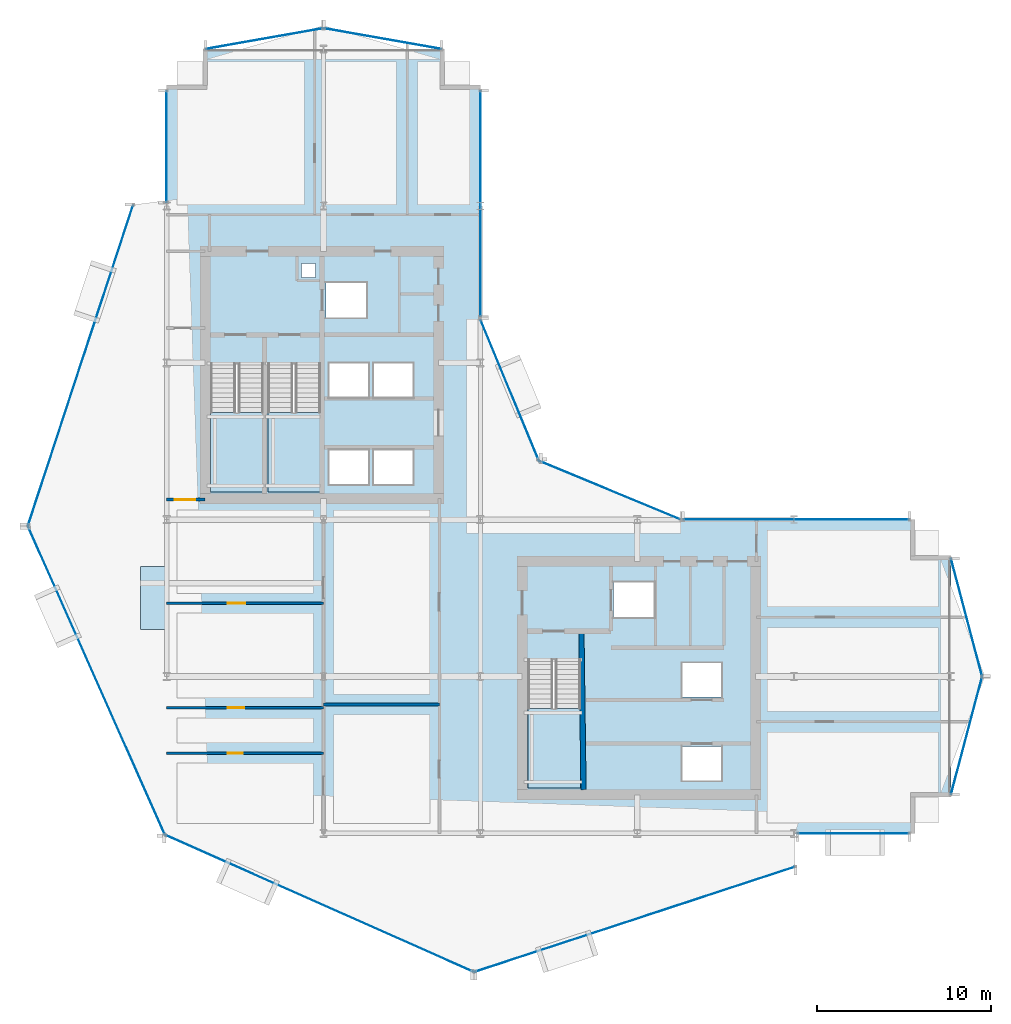
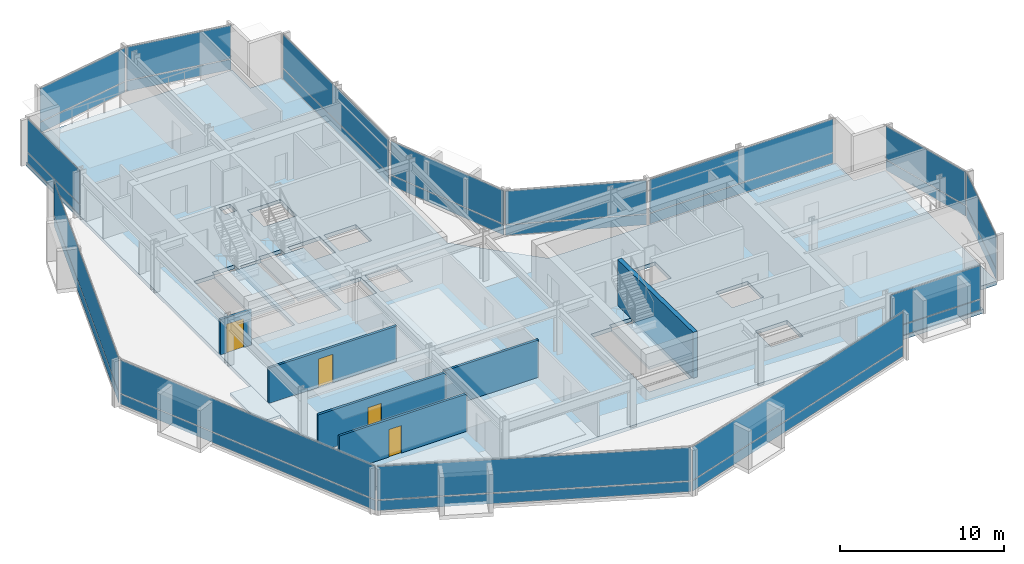
# One storey, part 21 of 28: 28 plates, 6 walls, 5 slabs, 4 doors, 4 openings, 17 elements without a shape of their own.
"""IFC4 building model written with IfcOpenShell, lengths in metres."""

from ifc_helpers import new_model, si_unit, direction, frame, frame_2d, origin, origin_2d, place, context, subcontext, project, spatial, polyline, rectangle, outline, extrude, material, layer, layer_set, type_object, element, fill, aggregate, save


model = new_model("IFC4")

# Units and contexts
model_context = context("Model", 3, precision=1e-05, world=origin(), true_north=direction((0.0, 1.0)))
body_context = subcontext(model_context, "Body", "Model", "MODEL_VIEW")
ifc_project = project(units=[si_unit("LENGTHUNIT", "METRE"), si_unit("AREAUNIT", "SQUARE_METRE"), si_unit("VOLUMEUNIT", "CUBIC_METRE"), si_unit("PLANEANGLEUNIT", "RADIAN"), si_unit("MASSUNIT", "GRAM", prefix="KILO")], contexts=[model_context])

# Site, building, storey
site_placement = place(None, origin())
site = spatial("IfcSite", under=ifc_project, at=site_placement, CompositionType="ELEMENT")
building_placement = place(site_placement, origin())
building = spatial("IfcBuilding", under=site, at=building_placement, Name="Solvaryn Broadcast Tower", CompositionType="ELEMENT")
storey_placement = place(building_placement, frame((0.0, 0.0, 110.0)))
storey = spatial("IfcBuildingStorey", under=building, at=storey_placement, Name="L26", CompositionType="ELEMENT", Elevation=110.0)

# Curtain wall, plates
ifc_material_1 = material(Name="Aluminium and Terracotta Unitised Curtain Wall", Category="masonry")
ifc_layer_1 = layer(ifc_material_1, 0.199951171875)
ifc_layer_set_1 = layer_set([ifc_layer_1], Name="CW-SYS2-LOWMID")
curtain_wall_type = type_object("IfcCurtainWallType", Name="CW-SYS2-LOWMID", PredefinedType="NOTDEFINED", material=ifc_layer_set_1)
curtain_wall_1_placement = place(storey_placement, origin())
curtain_wall_1 = element("IfcCurtainWall", 1, at=curtain_wall_1_placement, inside=storey, type_object=curtain_wall_type, Name="L26 Curtain Wall DR1", PredefinedType="NOTDEFINED")
ifc_material_2 = material(Name="Kiln-Fired Architectural Terracotta Spandrel", Category="masonry")
ifc_layer_2 = layer(ifc_material_2, 0.048095703125)
ifc_layer_set_2 = layer_set([ifc_layer_2], Name="CW-PNL-TERRACOTTA")
plate_type = type_object("IfcPlateType", Name="CW-PNL-TERRACOTTA", PredefinedType="CURTAIN_PANEL", material=ifc_layer_set_2)
plate_1_placement = place(storey_placement, frame((4.056396484375, 35.8515625, 0.06005859375), z_axis=(0.0, 0.0, 1.0), x_axis=(-0.311646057547, -0.950198260794, 0.0)))
plate_1 = element("IfcPlate", 2, at=plate_1_placement, type_object=plate_type, Name="CWS2 panel 1.1", PredefinedType="CURTAIN_PANEL", context=body_context, shape_type="SweptSolid", body=[
    extrude(rectangle(XDim=19.277099609375, YDim=0.028076171875, at=origin_2d()), origin(), (0.0, 0.0, 1.0), 0.760009765625),
])
plate_2_placement = place(storey_placement, frame((4.056396484375, 35.8515625, 0.880126953125), z_axis=(0.0, 0.0, 1.0), x_axis=(-0.311646057547, -0.950198260794, 0.0)))
plate_2 = element("IfcPlate", 3, at=plate_2_placement, type_object=plate_type, Name="CWS2 panel 1.2", PredefinedType="CURTAIN_PANEL", context=body_context, shape_type="SweptSolid", body=[
    extrude(rectangle(XDim=19.277099609375, YDim=0.028076171875, at=origin_2d()), origin(), (0.0, 0.0, 1.0), 2.47998046875),
])
aggregate(curtain_wall_1, [plate_1, plate_2])

curtain_wall_2_placement = place(storey_placement, origin())
curtain_wall_2 = element("IfcCurtainWall", 4, at=curtain_wall_2_placement, inside=storey, type_object=curtain_wall_type, Name="L26 Curtain Wall DR2", PredefinedType="NOTDEFINED")
plate_3_placement = place(storey_placement, frame((4.970947265625, 17.77197265625, 0.06005859375), z_axis=(0.0, 0.0, 1.0), x_axis=(0.405918429309, -0.913909311008, 0.0)))
plate_3 = element("IfcPlate", 5, at=plate_3_placement, type_object=plate_type, Name="CWS2 panel 1.1", PredefinedType="CURTAIN_PANEL", context=body_context, shape_type="SweptSolid", body=[
    extrude(rectangle(XDim=19.278076171875, YDim=0.028076171875, at=origin_2d()), origin(), (0.0, 0.0, 1.0), 0.760009765625),
])
plate_4_placement = place(storey_placement, frame((4.970947265625, 17.77197265625, 0.880126953125), z_axis=(0.0, 0.0, 1.0), x_axis=(0.405918429309, -0.913909311008, 0.0)))
plate_4 = element("IfcPlate", 6, at=plate_4_placement, type_object=plate_type, Name="CWS2 panel 1.2", PredefinedType="CURTAIN_PANEL", context=body_context, shape_type="SweptSolid", body=[
    extrude(rectangle(XDim=19.278076171875, YDim=0.028076171875, at=origin_2d()), origin(), (0.0, 0.0, 1.0), 2.47998046875),
])
aggregate(curtain_wall_2, [plate_3, plate_4])

curtain_wall_3_placement = place(storey_placement, origin())
curtain_wall_3 = element("IfcCurtainWall", 7, at=curtain_wall_3_placement, inside=storey, type_object=curtain_wall_type, Name="L26 Curtain Wall DR3", PredefinedType="NOTDEFINED")
plate_5_placement = place(storey_placement, frame((17.77197265625, 4.970947265625, 0.06005859375), z_axis=(0.0, 0.0, 1.0), x_axis=(0.913909311008, -0.405918429309, 0.0)))
plate_5 = element("IfcPlate", 8, at=plate_5_placement, type_object=plate_type, Name="CWS2 panel 1.1", PredefinedType="CURTAIN_PANEL", context=body_context, shape_type="SweptSolid", body=[
    extrude(rectangle(XDim=19.278076171875, YDim=0.028076171875, at=origin_2d()), origin(), (0.0, 0.0, 1.0), 0.760009765625),
])
plate_6_placement = place(storey_placement, frame((17.77197265625, 4.970947265625, 0.880126953125), z_axis=(0.0, 0.0, 1.0), x_axis=(0.913909311008, -0.405918429309, 0.0)))
plate_6 = element("IfcPlate", 9, at=plate_6_placement, type_object=plate_type, Name="CWS2 panel 1.2", PredefinedType="CURTAIN_PANEL", context=body_context, shape_type="SweptSolid", body=[
    extrude(rectangle(XDim=19.278076171875, YDim=0.028076171875, at=origin_2d()), origin(), (0.0, 0.0, 1.0), 2.47998046875),
])
aggregate(curtain_wall_3, [plate_5, plate_6])

curtain_wall_4_placement = place(storey_placement, origin())
curtain_wall_4 = element("IfcCurtainWall", 10, at=curtain_wall_4_placement, inside=storey, type_object=curtain_wall_type, Name="L26 Curtain Wall DR4", PredefinedType="NOTDEFINED")
plate_7_placement = place(storey_placement, frame((35.8515625, 4.056396484375, 0.06005859375), z_axis=(0.0, 0.0, 1.0), x_axis=(0.950198260794, 0.311646057547, 0.0)))
plate_7 = element("IfcPlate", 11, at=plate_7_placement, type_object=plate_type, Name="CWS2 panel 1.1", PredefinedType="CURTAIN_PANEL", context=body_context, shape_type="SweptSolid", body=[
    extrude(rectangle(XDim=19.277099609375, YDim=0.028076171875, at=origin_2d()), origin(), (0.0, 0.0, 1.0), 0.760009765625),
])
plate_8_placement = place(storey_placement, frame((35.8515625, 4.056396484375, 0.880126953125), z_axis=(0.0, 0.0, 1.0), x_axis=(0.950198260794, 0.311646057547, 0.0)))
plate_8 = element("IfcPlate", 12, at=plate_8_placement, type_object=plate_type, Name="CWS2 panel 1.2", PredefinedType="CURTAIN_PANEL", context=body_context, shape_type="SweptSolid", body=[
    extrude(rectangle(XDim=19.277099609375, YDim=0.028076171875, at=origin_2d()), origin(), (0.0, 0.0, 1.0), 2.47998046875),
])
aggregate(curtain_wall_4, [plate_7, plate_8])

curtain_wall_5_placement = place(storey_placement, origin())
curtain_wall_5 = element("IfcCurtainWall", 13, at=curtain_wall_5_placement, inside=storey, type_object=curtain_wall_type, Name="L26 Curtain Wall W2", PredefinedType="NOTDEFINED")
plate_9_placement = place(storey_placement, frame((9.0, 48.408447265625, 0.06005859375), z_axis=(0.0, 0.0, 1.0), x_axis=(0.0, 1.0, 0.0)))
plate_9 = element("IfcPlate", 14, at=plate_9_placement, type_object=plate_type, Name="CWS2 panel 1.1", PredefinedType="CURTAIN_PANEL", context=body_context, shape_type="SweptSolid", body=[
    extrude(rectangle(XDim=6.363037109375, YDim=0.028076171875, at=origin_2d()), origin(), (0.0, 0.0, 1.0), 0.760009765625),
])
plate_10_placement = place(storey_placement, frame((9.0, 48.408447265625, 0.880126953125), z_axis=(0.0, 0.0, 1.0), x_axis=(0.0, 1.0, 0.0)))
plate_10 = element("IfcPlate", 15, at=plate_10_placement, type_object=plate_type, Name="CWS2 panel 1.2", PredefinedType="CURTAIN_PANEL", context=body_context, shape_type="SweptSolid", body=[
    extrude(rectangle(XDim=6.363037109375, YDim=0.028076171875, at=origin_2d()), origin(), (0.0, 0.0, 1.0), 2.47998046875),
])
aggregate(curtain_wall_5, [plate_9, plate_10])

curtain_wall_6_placement = place(storey_placement, origin())
curtain_wall_6 = element("IfcCurtainWall", 16, at=curtain_wall_6_placement, inside=storey, type_object=curtain_wall_type, Name="L26 Curtain Wall IV", PredefinedType="NOTDEFINED")
plate_11_placement = place(storey_placement, frame((27.0, 45.125, 0.06005859375), z_axis=(0.0, 0.0, 1.0), x_axis=(0.0, -1.0, 0.0)))
plate_11 = element("IfcPlate", 17, at=plate_11_placement, type_object=plate_type, Name="CWS2 panel 1.1", PredefinedType="CURTAIN_PANEL", context=body_context, shape_type="SweptSolid", body=[
    extrude(rectangle(XDim=12.929931640625, YDim=0.028076171875, at=origin_2d()), origin(), (0.0, 0.0, 1.0), 0.760009765625),
])
plate_12_placement = place(storey_placement, frame((27.0, 45.125, 0.880126953125), z_axis=(0.0, 0.0, 1.0), x_axis=(0.0, -1.0, 0.0)))
plate_12 = element("IfcPlate", 18, at=plate_12_placement, type_object=plate_type, Name="CWS2 panel 1.2", PredefinedType="CURTAIN_PANEL", context=body_context, shape_type="SweptSolid", body=[
    extrude(rectangle(XDim=12.929931640625, YDim=0.028076171875, at=origin_2d()), origin(), (0.0, 0.0, 1.0), 2.47998046875),
])
aggregate(curtain_wall_6, [plate_11, plate_12])

curtain_wall_7_placement = place(storey_placement, origin())
curtain_wall_7 = element("IfcCurtainWall", 19, at=curtain_wall_7_placement, inside=storey, type_object=curtain_wall_type, Name="L26 Curtain Wall CN1", PredefinedType="NOTDEFINED")
plate_13_placement = place(storey_placement, frame((34.43408203125, 28.68408203125, 0.06005859375), z_axis=(0.0, 0.0, 1.0), x_axis=(-0.923894983957, 0.382646127145, 0.0)))
plate_13 = element("IfcPlate", 20, at=plate_13_placement, type_object=plate_type, Name="CWS2 panel 1.1", PredefinedType="CURTAIN_PANEL", context=body_context, shape_type="SweptSolid", body=[
    extrude(rectangle(XDim=8.681884765625, YDim=0.028076171875, at=origin_2d()), origin(), (0.0, 0.0, 1.0), 0.760009765625),
])
plate_14_placement = place(storey_placement, frame((34.43408203125, 28.68408203125, 0.880126953125), z_axis=(0.0, 0.0, 1.0), x_axis=(-0.923894983957, 0.382646127145, 0.0)))
plate_14 = element("IfcPlate", 21, at=plate_14_placement, type_object=plate_type, Name="CWS2 panel 1.2", PredefinedType="CURTAIN_PANEL", context=body_context, shape_type="SweptSolid", body=[
    extrude(rectangle(XDim=8.681884765625, YDim=0.028076171875, at=origin_2d()), origin(), (0.0, 0.0, 1.0), 2.47998046875),
])
aggregate(curtain_wall_7, [plate_13, plate_14])

curtain_wall_8_placement = place(storey_placement, origin())
curtain_wall_8 = element("IfcCurtainWall", 22, at=curtain_wall_8_placement, inside=storey, type_object=curtain_wall_type, Name="L26 Curtain Wall CN2", PredefinedType="NOTDEFINED")
plate_15_placement = place(storey_placement, frame((28.68408203125, 34.43408203125, 0.06005859375), z_axis=(0.0, 0.0, 1.0), x_axis=(-0.382646127145, 0.923894983957, 0.0)))
plate_15 = element("IfcPlate", 23, at=plate_15_placement, type_object=plate_type, Name="CWS2 panel 1.1", PredefinedType="CURTAIN_PANEL", context=body_context, shape_type="SweptSolid", body=[
    extrude(rectangle(XDim=8.681884765625, YDim=0.028076171875, at=origin_2d()), origin(), (0.0, 0.0, 1.0), 0.760009765625),
])
plate_16_placement = place(storey_placement, frame((28.68408203125, 34.43408203125, 0.880126953125), z_axis=(0.0, 0.0, 1.0), x_axis=(-0.382646127145, 0.923894983957, 0.0)))
plate_16 = element("IfcPlate", 24, at=plate_16_placement, type_object=plate_type, Name="CWS2 panel 1.2", PredefinedType="CURTAIN_PANEL", context=body_context, shape_type="SweptSolid", body=[
    extrude(rectangle(XDim=8.681884765625, YDim=0.028076171875, at=origin_2d()), origin(), (0.0, 0.0, 1.0), 2.47998046875),
])
aggregate(curtain_wall_8, [plate_15, plate_16])

curtain_wall_9_placement = place(storey_placement, origin())
curtain_wall_9 = element("IfcCurtainWall", 25, at=curtain_wall_9_placement, inside=storey, type_object=curtain_wall_type, Name="L26 Curtain Wall S2", PredefinedType="NOTDEFINED")
plate_17_placement = place(storey_placement, frame((48.408447265625, 9.0, 0.06005859375), z_axis=(0.0, 0.0, 1.0), x_axis=(1.0, 0.0, 0.0)))
plate_17 = element("IfcPlate", 26, at=plate_17_placement, type_object=plate_type, Name="CWS2 panel 1.1", PredefinedType="CURTAIN_PANEL", context=body_context, shape_type="SweptSolid", body=[
    extrude(rectangle(XDim=6.363037109375, YDim=0.028076171875, at=origin_2d()), origin(), (0.0, 0.0, 1.0), 0.760009765625),
])
plate_18_placement = place(storey_placement, frame((48.408447265625, 9.0, 0.880126953125), z_axis=(0.0, 0.0, 1.0), x_axis=(1.0, 0.0, 0.0)))
plate_18 = element("IfcPlate", 27, at=plate_18_placement, type_object=plate_type, Name="CWS2 panel 1.2", PredefinedType="CURTAIN_PANEL", context=body_context, shape_type="SweptSolid", body=[
    extrude(rectangle(XDim=6.363037109375, YDim=0.028076171875, at=origin_2d()), origin(), (0.0, 0.0, 1.0), 2.47998046875),
])
aggregate(curtain_wall_9, [plate_17, plate_18])

curtain_wall_10_placement = place(storey_placement, origin())
curtain_wall_10 = element("IfcCurtainWall", 28, at=curtain_wall_10_placement, inside=storey, type_object=curtain_wall_type, Name="L26 Curtain Wall NT1", PredefinedType="NOTDEFINED")
plate_19_placement = place(storey_placement, frame((21.39990234375, 54.60009765625, 0.06005859375), z_axis=(0.0, 0.0, 1.0), x_axis=(-0.984783558819, 0.173785333901, 0.0)))
plate_19 = element("IfcPlate", 29, at=plate_19_placement, type_object=plate_type, Name="CWS2 panel 1.1", PredefinedType="CURTAIN_PANEL", context=body_context, shape_type="SweptSolid", body=[
    extrude(rectangle(XDim=6.78515625, YDim=0.028076171875, at=origin_2d()), origin(), (0.0, 0.0, 1.0), 0.760009765625),
])
plate_20_placement = place(storey_placement, frame((21.39990234375, 54.60009765625, 0.880126953125), z_axis=(0.0, 0.0, 1.0), x_axis=(-0.984783558819, 0.173785333901, 0.0)))
plate_20 = element("IfcPlate", 30, at=plate_20_placement, type_object=plate_type, Name="CWS2 panel 1.2", PredefinedType="CURTAIN_PANEL", context=body_context, shape_type="SweptSolid", body=[
    extrude(rectangle(XDim=6.78515625, YDim=0.028076171875, at=origin_2d()), origin(), (0.0, 0.0, 1.0), 2.47998046875),
])
aggregate(curtain_wall_10, [plate_19, plate_20])

curtain_wall_11_placement = place(storey_placement, origin())
curtain_wall_11 = element("IfcCurtainWall", 31, at=curtain_wall_11_placement, inside=storey, type_object=curtain_wall_type, Name="L26 Curtain Wall NT2", PredefinedType="NOTDEFINED")
plate_21_placement = place(storey_placement, frame((14.60009765625, 54.60009765625, 0.06005859375), z_axis=(0.0, 0.0, 1.0), x_axis=(-0.984783558819, -0.173785333901, 0.0)))
plate_21 = element("IfcPlate", 32, at=plate_21_placement, type_object=plate_type, Name="CWS2 panel 1.1", PredefinedType="CURTAIN_PANEL", context=body_context, shape_type="SweptSolid", body=[
    extrude(rectangle(XDim=6.78515625, YDim=0.028076171875, at=origin_2d()), origin(), (0.0, 0.0, 1.0), 0.760009765625),
])
plate_22_placement = place(storey_placement, frame((14.60009765625, 54.60009765625, 0.880126953125), z_axis=(0.0, 0.0, 1.0), x_axis=(-0.984783558819, -0.173785333901, 0.0)))
plate_22 = element("IfcPlate", 33, at=plate_22_placement, type_object=plate_type, Name="CWS2 panel 1.2", PredefinedType="CURTAIN_PANEL", context=body_context, shape_type="SweptSolid", body=[
    extrude(rectangle(XDim=6.78515625, YDim=0.028076171875, at=origin_2d()), origin(), (0.0, 0.0, 1.0), 2.47998046875),
])
aggregate(curtain_wall_11, [plate_21, plate_22])

curtain_wall_12_placement = place(storey_placement, origin())
curtain_wall_12 = element("IfcCurtainWall", 34, at=curtain_wall_12_placement, inside=storey, type_object=curtain_wall_type, Name="L26 Curtain Wall ET1", PredefinedType="NOTDEFINED")
plate_23_placement = place(storey_placement, frame((54.89990234375, 21.39990234375, 0.06005859375), z_axis=(0.0, 0.0, 1.0), x_axis=(0.25589256031, -0.966705227863, 0.0)))
plate_23 = element("IfcPlate", 35, at=plate_23_placement, type_object=plate_type, Name="CWS2 panel 1.1", PredefinedType="CURTAIN_PANEL", context=body_context, shape_type="SweptSolid", body=[
    extrude(rectangle(XDim=6.914306640625, YDim=0.028076171875, at=origin_2d()), origin(), (0.0, 0.0, 1.0), 0.760009765625),
])
plate_24_placement = place(storey_placement, frame((54.89990234375, 21.39990234375, 0.880126953125), z_axis=(0.0, 0.0, 1.0), x_axis=(0.25589256031, -0.966705227863, 0.0)))
plate_24 = element("IfcPlate", 36, at=plate_24_placement, type_object=plate_type, Name="CWS2 panel 1.2", PredefinedType="CURTAIN_PANEL", context=body_context, shape_type="SweptSolid", body=[
    extrude(rectangle(XDim=6.914306640625, YDim=0.028076171875, at=origin_2d()), origin(), (0.0, 0.0, 1.0), 2.47998046875),
])
aggregate(curtain_wall_12, [plate_23, plate_24])

curtain_wall_13_placement = place(storey_placement, origin())
curtain_wall_13 = element("IfcCurtainWall", 37, at=curtain_wall_13_placement, inside=storey, type_object=curtain_wall_type, Name="L26 Curtain Wall ET2", PredefinedType="NOTDEFINED")
plate_25_placement = place(storey_placement, frame((54.89990234375, 14.60009765625, 0.06005859375), z_axis=(0.0, 0.0, 1.0), x_axis=(-0.25589256031, -0.966705227863, 0.0)))
plate_25 = element("IfcPlate", 38, at=plate_25_placement, type_object=plate_type, Name="CWS2 panel 1.1", PredefinedType="CURTAIN_PANEL", context=body_context, shape_type="SweptSolid", body=[
    extrude(rectangle(XDim=6.914306640625, YDim=0.028076171875, at=origin_2d()), origin(), (0.0, 0.0, 1.0), 0.760009765625),
])
plate_26_placement = place(storey_placement, frame((54.89990234375, 14.60009765625, 0.880126953125), z_axis=(0.0, 0.0, 1.0), x_axis=(-0.25589256031, -0.966705227863, 0.0)))
plate_26 = element("IfcPlate", 39, at=plate_26_placement, type_object=plate_type, Name="CWS2 panel 1.2", PredefinedType="CURTAIN_PANEL", context=body_context, shape_type="SweptSolid", body=[
    extrude(rectangle(XDim=6.914306640625, YDim=0.028076171875, at=origin_2d()), origin(), (0.0, 0.0, 1.0), 2.47998046875),
])
aggregate(curtain_wall_13, [plate_25, plate_26])

curtain_wall_14_placement = place(storey_placement, origin())
curtain_wall_14 = element("IfcCurtainWall", 40, at=curtain_wall_14_placement, inside=storey, type_object=curtain_wall_type, Name="L26 Curtain Wall IH", PredefinedType="NOTDEFINED")
plate_27_placement = place(storey_placement, frame((45.125, 27.0, 0.06005859375), z_axis=(0.0, 0.0, 1.0), x_axis=(1.0, 0.0, 0.0)))
plate_27 = element("IfcPlate", 41, at=plate_27_placement, type_object=plate_type, Name="CWS2 panel 1.1", PredefinedType="CURTAIN_PANEL", context=body_context, shape_type="SweptSolid", body=[
    extrude(rectangle(XDim=12.929931640625, YDim=0.028076171875, at=origin_2d()), origin(), (0.0, 0.0, 1.0), 0.760009765625),
])
plate_28_placement = place(storey_placement, frame((45.125, 27.0, 0.880126953125), z_axis=(0.0, 0.0, 1.0), x_axis=(1.0, 0.0, 0.0)))
plate_28 = element("IfcPlate", 42, at=plate_28_placement, type_object=plate_type, Name="CWS2 panel 1.2", PredefinedType="CURTAIN_PANEL", context=body_context, shape_type="SweptSolid", body=[
    extrude(rectangle(XDim=12.929931640625, YDim=0.028076171875, at=origin_2d()), origin(), (0.0, 0.0, 1.0), 2.47998046875),
])
aggregate(curtain_wall_14, [plate_27, plate_28])

# Slab
ifc_material_3 = material(Name="Concrete f'c 60 MPa", Category="concrete")
ifc_layer_3 = layer(ifc_material_3, 0.2099609375)
ifc_layer_set_3 = layer_set([ifc_layer_3], Name="SL-BAYBOX-210")
slab_type_1 = type_object("IfcSlabType", Name="SL-BAYBOX-210", PredefinedType="FLOOR", material=ifc_layer_set_3)
slab_1_placement = place(storey_placement, frame((0.0, 0.0, -0.2099609375)))
element("IfcSlab", 43, at=slab_1_placement, inside=storey, type_object=slab_type_1, Name="L26 Projecting Bay-Box Slab 1", PredefinedType="FLOOR", context=body_context, shape_type="SweptSolid", body=[
    extrude(outline(polyline([(7.5, 20.699951171875), (9.0, 20.699951171875), (9.0, 24.300048828125), (7.5, 24.300048828125), (7.5, 20.699951171875)])), origin(), (0.0, 0.0, 1.0), 0.2099609375),
])

# Stair, slab
ifc_material_4 = material(Name="Concrete f'c 60 MPa", Category="concrete")
stair_type = type_object("IfcStairType", Name="ST-CORE", PredefinedType="HALF_TURN_STAIR", material=ifc_material_4)
stair_1_placement = place(storey_placement, origin())
stair_1 = element("IfcStair", 44, at=stair_1_placement, inside=storey, type_object=stair_type, Name="L26 ST1", PredefinedType="HALF_TURN_STAIR")
ifc_material_5 = material(Name="Concrete f'c 60 MPa", Category="concrete")
ifc_layer_4 = layer(ifc_material_5, 0.199951171875)
ifc_layer_set_4 = layer_set([ifc_layer_4], Name="SL-LANDING-200")
slab_type_2 = type_object("IfcSlabType", Name="SL-LANDING-200", PredefinedType="LANDING", material=ifc_layer_set_4)
slab_2_placement = place(storey_placement, frame((0.0, 0.0, 1.64990234375)))
slab_2 = element("IfcSlab", 45, at=slab_2_placement, type_object=slab_type_2, Name="ST1 landing 1", PredefinedType="LANDING", context=body_context, shape_type="SweptSolid", body=[
    extrude(outline(polyline([(11.52001953125, 33.159912109375), (11.52001953125, 28.60009765625), (14.550048828125, 28.60009765625), (14.550048828125, 33.159912109375), (11.52001953125, 33.159912109375)])), origin(), (0.0, 0.0, 1.0), 0.2001953125),
])
aggregate(stair_1, [slab_2])

stair_2_placement = place(storey_placement, origin())
stair_2 = element("IfcStair", 46, at=stair_2_placement, inside=storey, type_object=stair_type, Name="L26 ST2", PredefinedType="HALF_TURN_STAIR")
slab_3_placement = place(storey_placement, frame((0.0, 0.0, 1.64990234375)))
slab_3 = element("IfcSlab", 47, at=slab_3_placement, type_object=slab_type_2, Name="ST2 landing 1", PredefinedType="LANDING", context=body_context, shape_type="SweptSolid", body=[
    extrude(outline(polyline([(14.800048828125, 33.159912109375), (14.800048828125, 28.60009765625), (17.830078125, 28.60009765625), (17.830078125, 33.159912109375), (14.800048828125, 33.159912109375)])), origin(), (0.0, 0.0, 1.0), 0.2001953125),
])
aggregate(stair_2, [slab_3])

stair_3_placement = place(storey_placement, origin())
stair_3 = element("IfcStair", 48, at=stair_3_placement, inside=storey, type_object=stair_type, Name="L26 ST3", PredefinedType="HALF_TURN_STAIR")
slab_4_placement = place(storey_placement, frame((0.0, 0.0, 1.64990234375)))
slab_4 = element("IfcSlab", 49, at=slab_4_placement, type_object=slab_type_2, Name="ST3 landing 1", PredefinedType="LANDING", context=body_context, shape_type="SweptSolid", body=[
    extrude(outline(polyline([(29.719970703125, 16.159912109375), (29.719970703125, 11.60009765625), (32.75, 11.60009765625), (32.75, 16.159912109375), (29.719970703125, 16.159912109375)])), origin(), (0.0, 0.0, 1.0), 0.2001953125),
])
aggregate(stair_3, [slab_4])

# Slab
ifc_material_6 = material(Name="Concrete f'c 60 MPa", Category="concrete")
ifc_layer_5 = layer(ifc_material_6, 0.280029296875)
ifc_layer_set_5 = layer_set([ifc_layer_5], Name="SL-TWR-280")
slab_type_3 = type_object("IfcSlabType", Name="SL-TWR-280", PredefinedType="FLOOR", material=ifc_layer_set_5)
slab_5_placement = place(storey_placement, frame((0.0, 0.0, -0.280029296875)))
element("IfcSlab", 50, at=slab_5_placement, inside=storey, type_object=slab_type_3, Name="L26 Structural Floor Slab", PredefinedType="FLOOR", context=body_context, shape_type="SweptSolid", body=[
    extrude(outline(polyline([(11.199951171875, 9.0), (51.800048828125, 9.0), (51.800048828125, 11.199951171875), (54.0, 11.199951171875), (54.0, 24.800048828125), (51.800048828125, 24.800048828125), (51.800048828125, 27.0), (31.5, 27.0), (27.0, 31.5), (27.0, 51.800048828125), (24.800048828125, 51.800048828125), (24.800048828125, 54.0), (11.199951171875, 54.0), (11.199951171875, 51.800048828125), (9.0, 51.800048828125), (9.0, 11.199951171875), (11.199951171875, 11.199951171875), (11.199951171875, 9.0)]), holes=[polyline([(11.52001953125, 28.60009765625), (14.550048828125, 28.60009765625), (14.550048828125, 35.9599609375), (12.97998046875, 35.9599609375), (12.97998046875, 35.679931640625), (11.52001953125, 35.679931640625), (11.52001953125, 28.60009765625)]), polyline([(14.800048828125, 28.60009765625), (17.830078125, 28.60009765625), (17.830078125, 35.9599609375), (16.260009765625, 35.9599609375), (16.260009765625, 35.679931640625), (14.800048828125, 35.679931640625), (14.800048828125, 28.60009765625)]), polyline([(29.719970703125, 11.60009765625), (32.75, 11.60009765625), (32.75, 18.9599609375), (31.179931640625, 18.9599609375), (31.179931640625, 18.679931640625), (29.719970703125, 18.679931640625), (29.719970703125, 11.60009765625)]), polyline([(18.14990234375, 38.60009765625), (20.449951171875, 38.60009765625), (20.449951171875, 40.60009765625), (18.14990234375, 40.60009765625), (18.14990234375, 38.60009765625)]), polyline([(18.324951171875, 29.02490234375), (20.574951171875, 29.02490234375), (20.574951171875, 30.97509765625), (18.324951171875, 30.97509765625), (18.324951171875, 29.02490234375)]), polyline([(20.875, 29.02490234375), (23.125, 29.02490234375), (23.125, 30.97509765625), (20.875, 30.97509765625), (20.875, 29.02490234375)]), polyline([(18.324951171875, 34.02490234375), (20.574951171875, 34.02490234375), (20.574951171875, 35.97509765625), (18.324951171875, 35.97509765625), (18.324951171875, 34.02490234375)]), polyline([(20.875, 34.02490234375), (23.125, 34.02490234375), (23.125, 35.97509765625), (20.875, 35.97509765625), (20.875, 34.02490234375)]), polyline([(34.64990234375, 21.39990234375), (36.949951171875, 21.39990234375), (36.949951171875, 23.39990234375), (34.64990234375, 23.39990234375), (34.64990234375, 21.39990234375)]), polyline([(38.574951171875, 12.02490234375), (40.824951171875, 12.02490234375), (40.824951171875, 13.97509765625), (38.574951171875, 13.97509765625), (38.574951171875, 12.02490234375)]), polyline([(38.574951171875, 16.824951171875), (40.824951171875, 16.824951171875), (40.824951171875, 18.77490234375), (38.574951171875, 18.77490234375), (38.574951171875, 16.824951171875)]), polyline([(16.75, 40.89990234375), (17.550048828125, 40.89990234375), (17.550048828125, 41.699951171875), (16.75, 41.699951171875), (16.75, 40.89990234375)])]), origin(), (0.0, 0.0, 1.0), 0.280029296875),
])

# Wall, opening, door
ifc_material_7 = material(Name="Metal-Stud Gypsum Office Partition")
ifc_layer_6 = layer(ifc_material_7, 0.159912109375)
ifc_layer_set_6 = layer_set([ifc_layer_6], Name="IW-PART-160")
wall_type_1 = type_object("IfcWallType", Name="IW-PART-160", PredefinedType="PARTITIONING", material=ifc_layer_set_6)
wall_1_placement = place(storey_placement, frame((9.0, 28.14990234375, 0.0), z_axis=(0.0, 0.0, 1.0), x_axis=(1.0, 0.0, 0.0)))
wall_1 = element("IfcWall", 51, at=wall_1_placement, inside=storey, type_object=wall_type_1, Name="L26 Interior Partition IW-L26-WM-S", PredefinedType="PARTITIONING", context=body_context, shape_type="SweptSolid", body=[
    extrude(rectangle(XDim=2.199951171875, YDim=0.159912109375, at=frame_2d((1.10009765625, 0.0))), origin(), (0.0, 0.0, 1.0), 2.634033203125),
])
opening_1_placement = place(wall_1_placement, frame((0.449951171875, 0.0, 0.0)))
opening_1 = element("IfcOpeningElement", 52, at=opening_1_placement, cuts=wall_1, Name="Opening ID04", PredefinedType="OPENING", context=body_context, shape_type="SweptSolid", body=[
    extrude(rectangle(XDim=1.199951171875, YDim=2.14990234375, at=frame_2d((0.60009765625, 1.074951171875))), frame((0.0, 0.090087890625, 0.0), z_axis=(0.0, -1.0, 0.0), x_axis=(1.0, 0.0, 0.0)), (0.0, 0.0, 1.0), 0.179931640625),
])
ifc_material_8 = material(Name="Flush Acoustic Steel and Timber Door Assembly", Category="steel")
door_type_1 = type_object("IfcDoorType", Name="ID-04-1200X2150", OperationType="NOTDEFINED", PredefinedType="DOOR", material=ifc_material_8)
door_1_placement = place(opening_1_placement, origin())
door_1 = element("IfcDoor", 53, at=door_1_placement, inside=storey, type_object=door_type_1, Name="L26 Door DR-L26-WM0", OperationType="SINGLE_SWING_LEFT", OverallHeight=2.14990234375, OverallWidth=1.199951171875, PredefinedType="DOOR", context=body_context, shape_type="SweptSolid", body=[
    extrude(rectangle(XDim=1.199951171875, YDim=2.14990234375, at=frame_2d((0.60009765625, 1.074951171875))), frame((0.0, 0.02490234375, 0.0), z_axis=(0.0, -1.0, 0.0), x_axis=(1.0, 0.0, 0.0)), (0.0, 0.0, 1.0), 0.050048828125),
])
fill(opening_1, door_1)

# Wall
wall_2_placement = place(storey_placement, frame((18.0, 16.39990234375, 0.0), z_axis=(0.0, 0.0, 1.0), x_axis=(1.0, 0.0, 0.0)))
element("IfcWall", 54, at=wall_2_placement, inside=storey, type_object=wall_type_1, Name="L26 Interior Partition IW-L26-SWE-H1", PredefinedType="PARTITIONING", context=body_context, shape_type="SweptSolid", body=[
    extrude(rectangle(XDim=6.64990234375, YDim=0.159912109375, at=frame_2d((3.324951171875, 0.0))), origin(), (0.0, 0.0, 1.0), 2.7890625),
])

# Wall, opening, door
wall_3_placement = place(storey_placement, frame((9.0, 13.60009765625, 0.0), z_axis=(0.0, 0.0, 1.0), x_axis=(1.0, 0.0, 0.0)))
wall_3 = element("IfcWall", 55, at=wall_3_placement, inside=storey, type_object=wall_type_1, Name="L26 Interior Partition IW-L26-SWW-H1", PredefinedType="PARTITIONING", context=body_context, shape_type="SweptSolid", body=[
    extrude(rectangle(XDim=9.0, YDim=0.159912109375, at=frame_2d((4.5, 0.0))), origin(), (0.0, 0.0, 1.0), 2.7919921875),
])
opening_2_placement = place(wall_3_placement, frame((3.5, 0.0, 0.0)))
opening_2 = element("IfcOpeningElement", 56, at=opening_2_placement, cuts=wall_3, Name="Opening ID07", PredefinedType="OPENING", context=body_context, shape_type="SweptSolid", body=[
    extrude(rectangle(XDim=0.860107421875, YDim=2.050048828125, at=frame_2d((0.43017578125, 1.02490234375))), frame((0.0, 0.090087890625, 0.0), z_axis=(0.0, -1.0, 0.0), x_axis=(1.0, 0.0, 0.0)), (0.0, 0.0, 1.0), 0.179931640625),
])
ifc_material_9 = material(Name="Flush Acoustic Steel and Timber Door Assembly", Category="steel")
door_type_2 = type_object("IfcDoorType", Name="ID-07-860X2050", OperationType="NOTDEFINED", PredefinedType="DOOR", material=ifc_material_9)
door_2_placement = place(opening_2_placement, origin())
door_2 = element("IfcDoor", 57, at=door_2_placement, inside=storey, type_object=door_type_2, Name="L26 Door DR-L26-SWW-1", OperationType="SINGLE_SWING_LEFT", OverallHeight=2.050048828125, OverallWidth=0.860107421875, PredefinedType="DOOR", context=body_context, shape_type="SweptSolid", body=[
    extrude(rectangle(XDim=0.860107421875, YDim=2.050048828125, at=frame_2d((0.43017578125, 1.02490234375))), frame((0.0, 0.02490234375, 0.0), z_axis=(0.0, -1.0, 0.0), x_axis=(1.0, 0.0, 0.0)), (0.0, 0.0, 1.0), 0.050048828125),
])
fill(opening_2, door_2)

wall_4_placement = place(storey_placement, frame((9.0, 16.199951171875, 0.0), z_axis=(0.0, 0.0, 1.0), x_axis=(1.0, 0.0, 0.0)))
wall_4 = element("IfcWall", 58, at=wall_4_placement, inside=storey, type_object=wall_type_1, Name="L26 Interior Partition IW-L26-SWW-H2", PredefinedType="PARTITIONING", context=body_context, shape_type="SweptSolid", body=[
    extrude(rectangle(XDim=9.0, YDim=0.159912109375, at=frame_2d((4.5, 0.0))), origin(), (0.0, 0.0, 1.0), 2.7919921875),
])
opening_3_placement = place(wall_4_placement, frame((3.5, 0.0, 0.0)))
opening_3 = element("IfcOpeningElement", 59, at=opening_3_placement, cuts=wall_4, Name="Opening ID01", PredefinedType="OPENING", context=body_context, shape_type="SweptSolid", body=[
    extrude(rectangle(XDim=0.949951171875, YDim=2.10009765625, at=frame_2d((0.47509765625, 1.050048828125))), frame((0.0, 0.090087890625, 0.0), z_axis=(0.0, -1.0, 0.0), x_axis=(1.0, 0.0, 0.0)), (0.0, 0.0, 1.0), 0.179931640625),
])
ifc_material_10 = material(Name="Flush Acoustic Steel and Timber Door Assembly", Category="steel")
door_type_3 = type_object("IfcDoorType", Name="ID-01-950X2100", OperationType="NOTDEFINED", PredefinedType="DOOR", material=ifc_material_10)
door_3_placement = place(opening_3_placement, origin())
door_3 = element("IfcDoor", 60, at=door_3_placement, inside=storey, type_object=door_type_3, Name="L26 Door DR-L26-SWW-2", OperationType="SINGLE_SWING_RIGHT", OverallHeight=2.10009765625, OverallWidth=0.949951171875, PredefinedType="DOOR", context=body_context, shape_type="SweptSolid", body=[
    extrude(rectangle(XDim=0.949951171875, YDim=2.10009765625, at=frame_2d((0.47509765625, 1.050048828125))), frame((0.0, 0.02490234375, 0.0), z_axis=(0.0, -1.0, 0.0), x_axis=(1.0, 0.0, 0.0)), (0.0, 0.0, 1.0), 0.050048828125),
])
fill(opening_3, door_3)

wall_5_placement = place(storey_placement, frame((9.0, 22.199951171875, 0.0), z_axis=(0.0, 0.0, 1.0), x_axis=(1.0, 0.0, 0.0)))
wall_5 = element("IfcWall", 61, at=wall_5_placement, inside=storey, type_object=wall_type_1, Name="L26 Interior Partition IW-L26-SWW-H3", PredefinedType="PARTITIONING", context=body_context, shape_type="SweptSolid", body=[
    extrude(rectangle(XDim=9.0, YDim=0.159912109375, at=frame_2d((4.5, 0.0))), origin(), (0.0, 0.0, 1.0), 2.634033203125),
])
opening_4_placement = place(wall_5_placement, frame((3.5, 0.0, 0.0)))
opening_4 = element("IfcOpeningElement", 62, at=opening_4_placement, cuts=wall_5, Name="Opening ID02", PredefinedType="OPENING", context=body_context, shape_type="SweptSolid", body=[
    extrude(rectangle(XDim=1.0, YDim=2.10009765625, at=frame_2d((0.5, 1.050048828125))), frame((0.0, 0.090087890625, 0.0), z_axis=(0.0, -1.0, 0.0), x_axis=(1.0, 0.0, 0.0)), (0.0, 0.0, 1.0), 0.179931640625),
])
ifc_material_11 = material(Name="Flush Acoustic Steel and Timber Door Assembly", Category="steel")
door_type_4 = type_object("IfcDoorType", Name="ID-02-1000X2100", OperationType="NOTDEFINED", PredefinedType="DOOR", material=ifc_material_11)
door_4_placement = place(opening_4_placement, origin())
door_4 = element("IfcDoor", 63, at=door_4_placement, inside=storey, type_object=door_type_4, Name="L26 Door DR-L26-SWW-3", OperationType="SINGLE_SWING_LEFT", OverallHeight=2.10009765625, OverallWidth=1.0, PredefinedType="DOOR", context=body_context, shape_type="SweptSolid", body=[
    extrude(rectangle(XDim=1.0, YDim=2.10009765625, at=frame_2d((0.5, 1.050048828125))), frame((0.0, 0.02490234375, 0.0), z_axis=(0.0, -1.0, 0.0), x_axis=(1.0, 0.0, 0.0)), (0.0, 0.0, 1.0), 0.050048828125),
])
fill(opening_4, door_4)

# Wall
ifc_material_12 = material(Name="Concrete f'c 70 MPa", Category="concrete")
ifc_layer_7 = layer(ifc_material_12, 0.300048828125)
ifc_layer_set_7 = layer_set([ifc_layer_7], Name="SW-SHAFT-300")
wall_type_2 = type_object("IfcWallType", Name="SW-SHAFT-300", PredefinedType="SHEAR", material=ifc_layer_set_7)
wall_6_placement = place(storey_placement, frame((32.919921875, 11.5, 0.0), z_axis=(0.0, 0.0, 1.0), x_axis=(-0.013244407292, 0.999912288991, 0.0)))
element("IfcWall", 64, at=wall_6_placement, inside=storey, type_object=wall_type_2, Name="L26 Stair 3 East Shear Wall", PredefinedType="SHEAR", context=body_context, shape_type="SweptSolid", body=[
    extrude(rectangle(XDim=9.05078125, YDim=0.300048828125, at=frame_2d((4.525390625, 0.0))), origin(), (0.0, 0.0, 1.0), 3.419921875),
])

save(model, "model.ifc")
